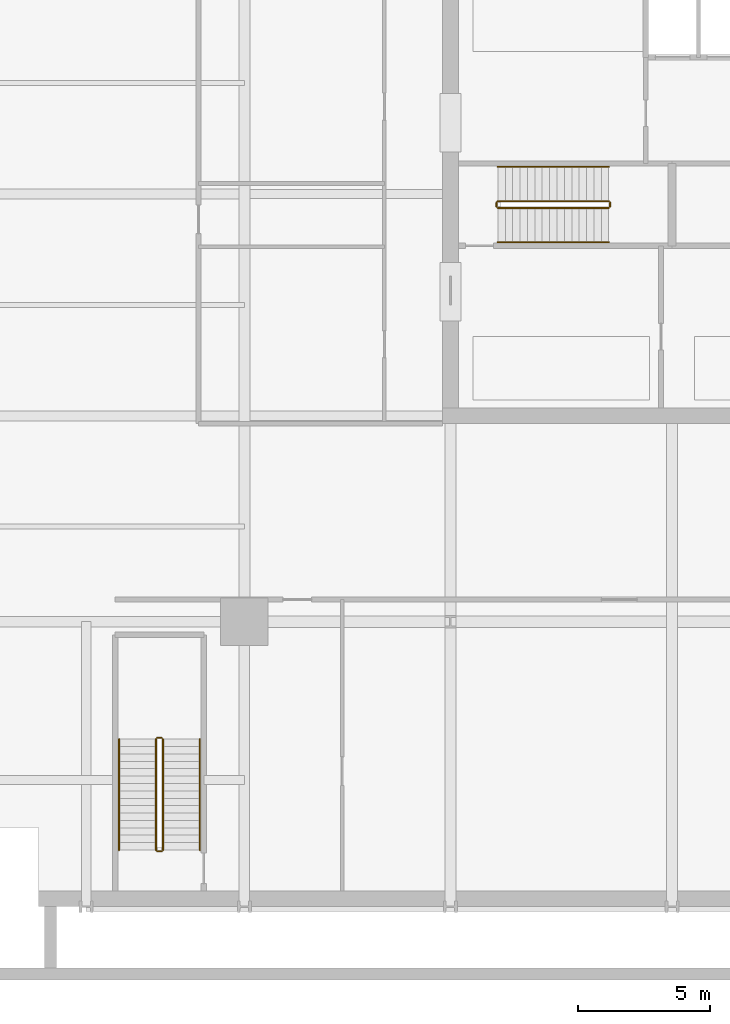
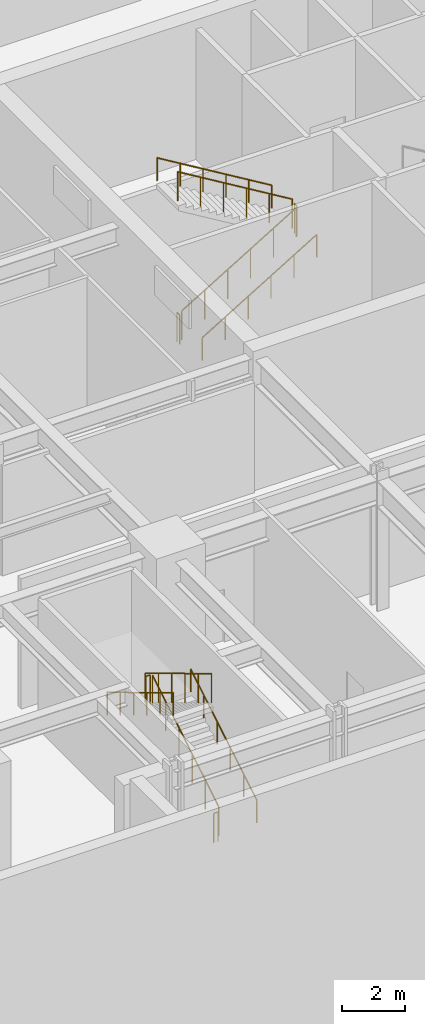
# One storey, part 7 of 9: 12 railings.
"""IFC4 building model written with IfcOpenShell, lengths in metres."""

from ifc_helpers import new_model, si_unit, direction, frame, origin, origin_2d, place, context, subcontext, project, spatial, circle, extrude, material, type_object, element, save


model = new_model("IFC4")

# Units and contexts
model_context = context("Model", 3, precision=1e-05, world=origin(), true_north=direction((0.0, 1.0)))
body_context = subcontext(model_context, "Body", "Model", "MODEL_VIEW")
ifc_project = project(units=[si_unit("LENGTHUNIT", "METRE"), si_unit("AREAUNIT", "SQUARE_METRE"), si_unit("VOLUMEUNIT", "CUBIC_METRE"), si_unit("PLANEANGLEUNIT", "RADIAN"), si_unit("MASSUNIT", "GRAM", prefix="KILO")], contexts=[model_context])

# Site, building, storey
site_placement = place(None, origin())
site = spatial("IfcSite", under=ifc_project, at=site_placement, CompositionType="ELEMENT")
building_placement = place(site_placement, origin())
building = spatial("IfcBuilding", under=site, at=building_placement, Name="Drelvath Grand Hotel", CompositionType="ELEMENT")
storey_placement = place(building_placement, frame((0.0, 0.0, -5.39990234375)))
storey = spatial("IfcBuildingStorey", under=building, at=storey_placement, Name="B1", CompositionType="ELEMENT", Elevation=-5.39990234375)

# Railings
ifc_material = material(Name="Painted Steel S275", Category="steel")
railing_type_1 = type_object("IfcRailingType", Name="Core Stair Wall Handrail 900", PredefinedType="HANDRAIL", material=ifc_material)
railing_1_placement = place(storey_placement, frame((-6.60009765625, 25.169921875, 0.168701171875)))
element("IfcRailing", 1, at=railing_1_placement, inside=storey, type_object=railing_type_1, Name="B1 ST-1 stair handrail 1", PredefinedType="HANDRAIL", context=body_context, shape_type="SweptSolid", body=[
    extrude(circle(Radius=0.02392578125, at=origin_2d()), frame((0.0, 0.0, 0.8759765625), z_axis=(0.856489757249, 0.0, 0.516164020179), x_axis=(0.0, 1.0, 0.0)), (0.0, 0.0, 1.0), 4.904052734375),
    extrude(circle(Radius=0.02099609375, at=origin_2d()), origin(), (0.0, 0.0, 1.0), 0.851806640625),
    extrude(circle(Radius=0.02099609375, at=origin_2d()), frame((0.840087890625, 0.0, 0.50634765625)), (0.0, 0.0, 1.0), 0.851806640625),
    extrude(circle(Radius=0.02099609375, at=origin_2d()), frame((1.68017578125, 0.0, 1.012451171875)), (0.0, 0.0, 1.0), 0.851806640625),
    extrude(circle(Radius=0.02099609375, at=origin_2d()), frame((2.52001953125, 0.0, 1.518798828125)), (0.0, 0.0, 1.0), 0.851806640625),
    extrude(circle(Radius=0.02099609375, at=origin_2d()), frame((3.360107421875, 0.0, 2.02490234375)), (0.0, 0.0, 1.0), 0.851806640625),
    extrude(circle(Radius=0.02099609375, at=origin_2d()), frame((4.2001953125, 0.0, 2.53125)), (0.0, 0.0, 1.0), 0.851806640625),
])
railing_2_placement = place(storey_placement, frame((-2.39990234375, 28.030029296875, 2.86865234375)))
element("IfcRailing", 2, at=railing_2_placement, inside=storey, type_object=railing_type_1, Name="B1 ST-1 stair handrail 2", PredefinedType="HANDRAIL", context=body_context, shape_type="SweptSolid", body=[
    extrude(circle(Radius=0.02392578125, at=origin_2d()), frame((0.0, 0.0, 0.8759765625), z_axis=(-0.856489757249, 0.0, 0.516164020179), x_axis=(0.0, -1.0, 0.0)), (0.0, 0.0, 1.0), 4.904052734375),
    extrude(circle(Radius=0.02099609375, at=origin_2d()), origin(), (0.0, 0.0, 1.0), 0.851806640625),
    extrude(circle(Radius=0.02099609375, at=origin_2d()), frame((-0.840087890625, 0.0, 0.50634765625)), (0.0, 0.0, 1.0), 0.851806640625),
    extrude(circle(Radius=0.02099609375, at=origin_2d()), frame((-1.68017578125, 0.0, 1.012451171875)), (0.0, 0.0, 1.0), 0.851806640625),
    extrude(circle(Radius=0.02099609375, at=origin_2d()), frame((-2.52001953125, 0.0, 1.518798828125)), (0.0, 0.0, 1.0), 0.851806640625),
    extrude(circle(Radius=0.02099609375, at=origin_2d()), frame((-3.360107421875, 0.0, 2.02490234375)), (0.0, 0.0, 1.0), 0.851806640625),
    extrude(circle(Radius=0.02099609375, at=origin_2d()), frame((-4.2001953125, 0.0, 2.53125)), (0.0, 0.0, 1.0), 0.851806640625),
])
railing_3_placement = place(storey_placement, frame((-17.889892578125, 2.14990234375, 0.168701171875)))
element("IfcRailing", 3, at=railing_3_placement, inside=storey, type_object=railing_type_1, Name="B1 ST-3 stair handrail 1", PredefinedType="HANDRAIL", context=body_context, shape_type="SweptSolid", body=[
    extrude(circle(Radius=0.02392578125, at=origin_2d()), frame((0.0, 0.0, 0.8759765625), z_axis=(0.0, 0.856489757249, 0.516164020179), x_axis=(-1.0, 0.0, 0.0)), (0.0, 0.0, 1.0), 4.904052734375),
    extrude(circle(Radius=0.02099609375, at=origin_2d()), origin(), (0.0, 0.0, 1.0), 0.851806640625),
    extrude(circle(Radius=0.02099609375, at=origin_2d()), frame((0.0, 0.840087890625, 0.50634765625)), (0.0, 0.0, 1.0), 0.851806640625),
    extrude(circle(Radius=0.02099609375, at=origin_2d()), frame((0.0, 1.68017578125, 1.012451171875)), (0.0, 0.0, 1.0), 0.851806640625),
    extrude(circle(Radius=0.02099609375, at=origin_2d()), frame((0.0, 2.52001953125, 1.518798828125)), (0.0, 0.0, 1.0), 0.851806640625),
    extrude(circle(Radius=0.02099609375, at=origin_2d()), frame((0.0, 3.360107421875, 2.02490234375)), (0.0, 0.0, 1.0), 0.851806640625),
    extrude(circle(Radius=0.02099609375, at=origin_2d()), frame((0.0, 4.2001953125, 2.53125)), (0.0, 0.0, 1.0), 0.851806640625),
])
railing_4_placement = place(storey_placement, frame((-20.949951171875, 6.35009765625, 2.86865234375)))
element("IfcRailing", 4, at=railing_4_placement, inside=storey, type_object=railing_type_1, Name="B1 ST-3 stair handrail 2", PredefinedType="HANDRAIL", context=body_context, shape_type="SweptSolid", body=[
    extrude(circle(Radius=0.02392578125, at=origin_2d()), frame((0.0, 0.0, 0.8759765625), z_axis=(0.0, -0.856489757249, 0.516164020179), x_axis=(1.0, 0.0, 0.0)), (0.0, 0.0, 1.0), 4.904052734375),
    extrude(circle(Radius=0.02099609375, at=origin_2d()), origin(), (0.0, 0.0, 1.0), 0.851806640625),
    extrude(circle(Radius=0.02099609375, at=origin_2d()), frame((0.0, -0.840087890625, 0.50634765625)), (0.0, 0.0, 1.0), 0.851806640625),
    extrude(circle(Radius=0.02099609375, at=origin_2d()), frame((0.0, -1.68017578125, 1.012451171875)), (0.0, 0.0, 1.0), 0.851806640625),
    extrude(circle(Radius=0.02099609375, at=origin_2d()), frame((0.0, -2.52001953125, 1.518798828125)), (0.0, 0.0, 1.0), 0.851806640625),
    extrude(circle(Radius=0.02099609375, at=origin_2d()), frame((0.0, -3.360107421875, 2.02490234375)), (0.0, 0.0, 1.0), 0.851806640625),
    extrude(circle(Radius=0.02099609375, at=origin_2d()), frame((0.0, -4.2001953125, 2.53125)), (0.0, 0.0, 1.0), 0.851806640625),
])
railing_type_2 = type_object("IfcRailingType", Name="Core Stair Well Guardrail 1100", PredefinedType="GUARDRAIL", material=ifc_material)
railing_5_placement = place(storey_placement, frame((-6.60009765625, 26.469970703125, 0.168701171875)))
element("IfcRailing", 5, at=railing_5_placement, inside=storey, type_object=railing_type_2, Name="B1 ST-1 stair guard 1", PredefinedType="GUARDRAIL", context=body_context, shape_type="SweptSolid", body=[
    extrude(circle(Radius=0.02392578125, at=origin_2d()), frame((0.0, 0.0, 1.1259765625), z_axis=(0.856489757249, 0.0, 0.516164020179), x_axis=(0.0, 1.0, 0.0)), (0.0, 0.0, 1.0), 4.904052734375),
    extrude(circle(Radius=0.02099609375, at=origin_2d()), origin(), (0.0, 0.0, 1.0), 1.101806640625),
    extrude(circle(Radius=0.02099609375, at=origin_2d()), frame((0.840087890625, 0.0, 0.50634765625)), (0.0, 0.0, 1.0), 1.101806640625),
    extrude(circle(Radius=0.02099609375, at=origin_2d()), frame((1.68017578125, 0.0, 1.012451171875)), (0.0, 0.0, 1.0), 1.101806640625),
    extrude(circle(Radius=0.02099609375, at=origin_2d()), frame((2.52001953125, 0.0, 1.518798828125)), (0.0, 0.0, 1.0), 1.101806640625),
    extrude(circle(Radius=0.02099609375, at=origin_2d()), frame((3.360107421875, 0.0, 2.02490234375)), (0.0, 0.0, 1.0), 1.101806640625),
    extrude(circle(Radius=0.02099609375, at=origin_2d()), frame((4.2001953125, 0.0, 2.53125)), (0.0, 0.0, 1.0), 1.101806640625),
])
railing_6_placement = place(storey_placement, frame((-2.35009765625, 26.52001953125, 2.699951171875)))
element("IfcRailing", 6, at=railing_6_placement, inside=storey, type_object=railing_type_2, Name="B1 ST-1 stair guard 2", PredefinedType="GUARDRAIL", context=body_context, shape_type="SweptSolid", body=[
    extrude(circle(Radius=0.02392578125, at=origin_2d()), frame((0.0, 0.0, 1.1259765625), z_axis=(0.0, 1.0, 0.0), x_axis=(-1.0, 0.0, 0.0)), (0.0, 0.0, 1.0), 0.159912109375),
    extrude(circle(Radius=0.02099609375, at=origin_2d()), origin(), (0.0, 0.0, 1.0), 1.101806640625),
    extrude(circle(Radius=0.02099609375, at=origin_2d()), frame((0.0, 0.159912109375, 0.0)), (0.0, 0.0, 1.0), 1.101806640625),
])
railing_7_placement = place(storey_placement, frame((-2.39990234375, 26.72998046875, 2.86865234375)))
element("IfcRailing", 7, at=railing_7_placement, inside=storey, type_object=railing_type_2, Name="B1 ST-1 stair guard 3", PredefinedType="GUARDRAIL", context=body_context, shape_type="SweptSolid", body=[
    extrude(circle(Radius=0.02392578125, at=origin_2d()), frame((0.0, 0.0, 1.1259765625), z_axis=(-0.856489757249, 0.0, 0.516164020179), x_axis=(0.0, -1.0, 0.0)), (0.0, 0.0, 1.0), 4.904052734375),
    extrude(circle(Radius=0.02099609375, at=origin_2d()), origin(), (0.0, 0.0, 1.0), 1.101806640625),
    extrude(circle(Radius=0.02099609375, at=origin_2d()), frame((-0.840087890625, 0.0, 0.50634765625)), (0.0, 0.0, 1.0), 1.101806640625),
    extrude(circle(Radius=0.02099609375, at=origin_2d()), frame((-1.68017578125, 0.0, 1.012451171875)), (0.0, 0.0, 1.0), 1.101806640625),
    extrude(circle(Radius=0.02099609375, at=origin_2d()), frame((-2.52001953125, 0.0, 1.518798828125)), (0.0, 0.0, 1.0), 1.101806640625),
    extrude(circle(Radius=0.02099609375, at=origin_2d()), frame((-3.360107421875, 0.0, 2.02490234375)), (0.0, 0.0, 1.0), 1.101806640625),
    extrude(circle(Radius=0.02099609375, at=origin_2d()), frame((-4.2001953125, 0.0, 2.53125)), (0.0, 0.0, 1.0), 1.101806640625),
])
railing_8_placement = place(storey_placement, frame((-6.64990234375, 26.52001953125, 0.0)))
element("IfcRailing", 8, at=railing_8_placement, inside=storey, type_object=railing_type_2, Name="B1 ST-1 stair guard 4", PredefinedType="GUARDRAIL", context=body_context, shape_type="SweptSolid", body=[
    extrude(circle(Radius=0.02392578125, at=origin_2d()), frame((0.0, 0.0, 1.1259765625), z_axis=(0.0, 1.0, 0.0), x_axis=(-1.0, 0.0, 0.0)), (0.0, 0.0, 1.0), 0.159912109375),
    extrude(circle(Radius=0.02099609375, at=origin_2d()), origin(), (0.0, 0.0, 1.0), 1.101806640625),
    extrude(circle(Radius=0.02099609375, at=origin_2d()), frame((0.0, 0.159912109375, 0.0)), (0.0, 0.0, 1.0), 1.101806640625),
])
railing_9_placement = place(storey_placement, frame((-19.2900390625, 2.14990234375, 0.168701171875)))
element("IfcRailing", 9, at=railing_9_placement, inside=storey, type_object=railing_type_2, Name="B1 ST-3 stair guard 1", PredefinedType="GUARDRAIL", context=body_context, shape_type="SweptSolid", body=[
    extrude(circle(Radius=0.02392578125, at=origin_2d()), frame((0.0, 0.0, 1.1259765625), z_axis=(0.0, 0.856489757249, 0.516164020179), x_axis=(-1.0, 0.0, 0.0)), (0.0, 0.0, 1.0), 4.904052734375),
    extrude(circle(Radius=0.02099609375, at=origin_2d()), origin(), (0.0, 0.0, 1.0), 1.101806640625),
    extrude(circle(Radius=0.02099609375, at=origin_2d()), frame((0.0, 0.840087890625, 0.50634765625)), (0.0, 0.0, 1.0), 1.101806640625),
    extrude(circle(Radius=0.02099609375, at=origin_2d()), frame((0.0, 1.68017578125, 1.012451171875)), (0.0, 0.0, 1.0), 1.101806640625),
    extrude(circle(Radius=0.02099609375, at=origin_2d()), frame((0.0, 2.52001953125, 1.518798828125)), (0.0, 0.0, 1.0), 1.101806640625),
    extrude(circle(Radius=0.02099609375, at=origin_2d()), frame((0.0, 3.360107421875, 2.02490234375)), (0.0, 0.0, 1.0), 1.101806640625),
    extrude(circle(Radius=0.02099609375, at=origin_2d()), frame((0.0, 4.2001953125, 2.53125)), (0.0, 0.0, 1.0), 1.101806640625),
])
railing_10_placement = place(storey_placement, frame((-19.340087890625, 6.39990234375, 2.699951171875)))
element("IfcRailing", 10, at=railing_10_placement, inside=storey, type_object=railing_type_2, Name="B1 ST-3 stair guard 2", PredefinedType="GUARDRAIL", context=body_context, shape_type="SweptSolid", body=[
    extrude(circle(Radius=0.02392578125, at=origin_2d()), frame((0.0, 0.0, 1.1259765625), z_axis=(-1.0, 0.0, 0.0), x_axis=(0.0, -1.0, 0.0)), (0.0, 0.0, 1.0), 0.159912109375),
    extrude(circle(Radius=0.02099609375, at=origin_2d()), origin(), (0.0, 0.0, 1.0), 1.101806640625),
    extrude(circle(Radius=0.02099609375, at=origin_2d()), frame((-0.159912109375, 0.0, 0.0)), (0.0, 0.0, 1.0), 1.101806640625),
])
railing_11_placement = place(storey_placement, frame((-19.550048828125, 6.35009765625, 2.86865234375)))
element("IfcRailing", 11, at=railing_11_placement, inside=storey, type_object=railing_type_2, Name="B1 ST-3 stair guard 3", PredefinedType="GUARDRAIL", context=body_context, shape_type="SweptSolid", body=[
    extrude(circle(Radius=0.02392578125, at=origin_2d()), frame((0.0, 0.0, 1.1259765625), z_axis=(0.0, -0.856489757249, 0.516164020179), x_axis=(1.0, 0.0, 0.0)), (0.0, 0.0, 1.0), 4.904052734375),
    extrude(circle(Radius=0.02099609375, at=origin_2d()), origin(), (0.0, 0.0, 1.0), 1.101806640625),
    extrude(circle(Radius=0.02099609375, at=origin_2d()), frame((0.0, -0.840087890625, 0.50634765625)), (0.0, 0.0, 1.0), 1.101806640625),
    extrude(circle(Radius=0.02099609375, at=origin_2d()), frame((0.0, -1.68017578125, 1.012451171875)), (0.0, 0.0, 1.0), 1.101806640625),
    extrude(circle(Radius=0.02099609375, at=origin_2d()), frame((0.0, -2.52001953125, 1.518798828125)), (0.0, 0.0, 1.0), 1.101806640625),
    extrude(circle(Radius=0.02099609375, at=origin_2d()), frame((0.0, -3.360107421875, 2.02490234375)), (0.0, 0.0, 1.0), 1.101806640625),
    extrude(circle(Radius=0.02099609375, at=origin_2d()), frame((0.0, -4.2001953125, 2.53125)), (0.0, 0.0, 1.0), 1.101806640625),
])
railing_12_placement = place(storey_placement, frame((-19.340087890625, 2.10009765625, 0.0)))
element("IfcRailing", 12, at=railing_12_placement, inside=storey, type_object=railing_type_2, Name="B1 ST-3 stair guard 4", PredefinedType="GUARDRAIL", context=body_context, shape_type="SweptSolid", body=[
    extrude(circle(Radius=0.02392578125, at=origin_2d()), frame((0.0, 0.0, 1.1259765625), z_axis=(-1.0, 0.0, 0.0), x_axis=(0.0, -1.0, 0.0)), (0.0, 0.0, 1.0), 0.159912109375),
    extrude(circle(Radius=0.02099609375, at=origin_2d()), origin(), (0.0, 0.0, 1.0), 1.101806640625),
    extrude(circle(Radius=0.02099609375, at=origin_2d()), frame((-0.159912109375, 0.0, 0.0)), (0.0, 0.0, 1.0), 1.101806640625),
])

save(model, "model.ifc")
